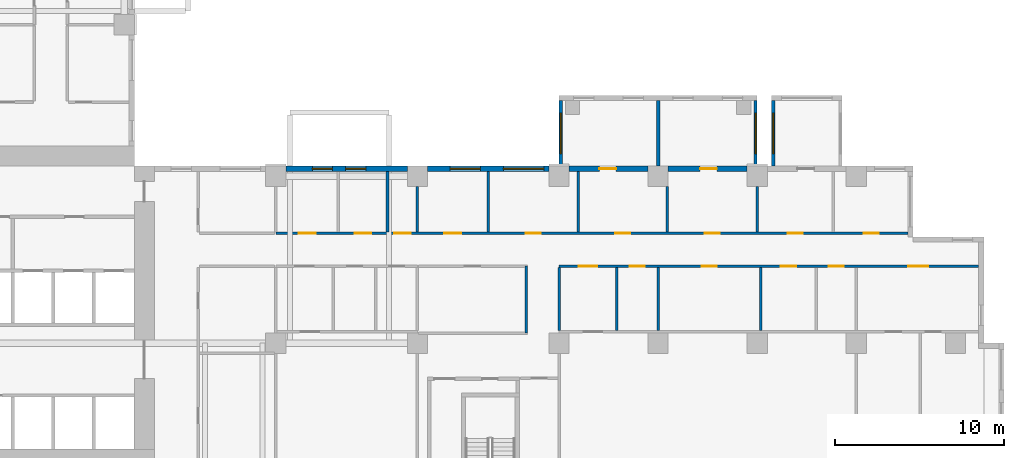
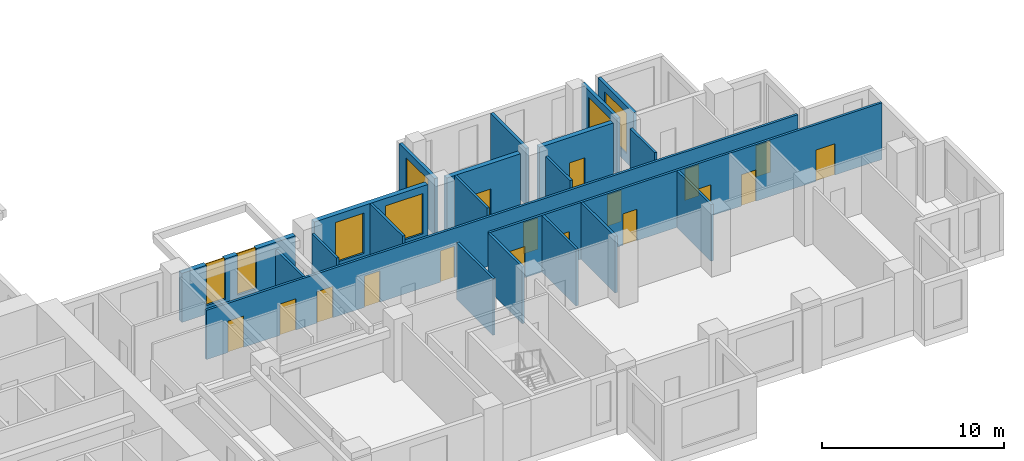
# One storey, part 5 of 15: 21 walls, 17 doors, 7 windows, 24 openings.
"""IFC4 building model written with IfcOpenShell, lengths in metres."""

from ifc_helpers import new_model, si_unit, direction, frame, frame_2d, origin, place, context, subcontext, project, spatial, rectangle, extrude, source, transform, mapped, material, layer, layer_set, type_object, element, fill, save


model = new_model("IFC4")

# Units and contexts
model_context = context("Model", 3, precision=1e-05, world=origin(), true_north=direction((0.0, 1.0)))
body_context = subcontext(model_context, "Body", "Model", "MODEL_VIEW")
ifc_project = project(units=[si_unit("LENGTHUNIT", "METRE"), si_unit("AREAUNIT", "SQUARE_METRE"), si_unit("VOLUMEUNIT", "CUBIC_METRE"), si_unit("PLANEANGLEUNIT", "RADIAN"), si_unit("MASSUNIT", "GRAM", prefix="KILO")], contexts=[model_context])

# Site, building, storey
site_placement = place(None, origin())
site = spatial("IfcSite", under=ifc_project, at=site_placement, CompositionType="ELEMENT")
building_placement = place(site_placement, origin())
building = spatial("IfcBuilding", under=site, at=building_placement, Name="Aurelian Terraces", CompositionType="ELEMENT")
storey_placement = place(building_placement, frame((0.0, 0.0, 74.1)))
storey = spatial("IfcBuildingStorey", under=building, at=storey_placement, Name="L15", CompositionType="ELEMENT", Elevation=74.1)

# Wall, openings, windows
ifc_material_1 = material(Name="Terracotta rainscreen cladding", Category="masonry")
ifc_layer_1 = layer(ifc_material_1, 0.3)
ifc_layer_set_1 = layer_set([ifc_layer_1], Name="EW-300")
wall_type_1 = type_object("IfcWallType", Name="EW-300", PredefinedType="STANDARD", material=ifc_layer_set_1)
shared_shape_1 = source(origin(), body_context, "Body", "SweptSolid", [
    extrude(rectangle(XDim=7.2, YDim=0.3, at=frame_2d((3.6, 0.0))), origin(), (0.0, 0.0, 1.0), 3.8),
])
wall_1_placement = place(storey_placement, frame((45.6, 20.85, 0.0), z_axis=(0.0, 0.0, 1.0), x_axis=(-1.0, 0.0, 0.0)))
wall_1 = element("IfcWall", 1, at=wall_1_placement, inside=storey, type_object=wall_type_1, Name="External wall L15 F07.20", PredefinedType="STANDARD", context=body_context, shape_type="MappedRepresentation", body=[
    mapped(shared_shape_1, transform((0.0, 0.0, 0.0), scale=1.0)),
])
shared_shape_2 = source(origin(), body_context, "Body", "SweptSolid", [
    extrude(rectangle(XDim=2.4, YDim=2.7, at=frame_2d((1.2, 1.35))), frame((0.0, 0.16, 0.0), z_axis=(0.0, -1.0, 0.0), x_axis=(1.0, 0.0, 0.0)), (0.0, 0.0, 1.0), 0.32),
])
opening_1_placement = place(wall_1_placement, frame((0.3, 0.0, 0.6)))
opening_1 = element("IfcOpeningElement", 2, at=opening_1_placement, cuts=wall_1, Name="Opening W2427", PredefinedType="OPENING", context=body_context, shape_type="MappedRepresentation", body=[
    mapped(shared_shape_2, transform((0.0, 0.0, 0.0), scale=1.0)),
])
shared_shape_3 = source(origin(), body_context, "Body", "SweptSolid", [
    extrude(rectangle(XDim=1.8, YDim=2.7, at=frame_2d((0.9, 1.35))), frame((0.0, 0.16, 0.0), z_axis=(0.0, -1.0, 0.0), x_axis=(1.0, 0.0, 0.0)), (0.0, 0.0, 1.0), 0.32),
])
opening_2_placement = place(wall_1_placement, frame((4.0625, 0.0, 0.6)))
opening_2 = element("IfcOpeningElement", 3, at=opening_2_placement, cuts=wall_1, Name="Opening W1827", PredefinedType="OPENING", context=body_context, shape_type="MappedRepresentation", body=[
    mapped(shared_shape_3, transform((0.0, 0.0, 0.0), scale=1.0)),
])
ifc_material_2 = material(Name="Clear glazing", Category="glass")
window_type_1 = type_object("IfcWindowType", Name="W-2400x2700", PartitioningType="SINGLE_PANEL", PredefinedType="WINDOW", material=ifc_material_2)
shared_shape_4 = source(origin(), body_context, "Body", "SweptSolid", [
    extrude(rectangle(XDim=2.4, YDim=2.7, at=frame_2d((1.2, 1.35))), frame((0.0, 0.03, 0.0), z_axis=(0.0, -1.0, 0.0), x_axis=(1.0, 0.0, 0.0)), (0.0, 0.0, 1.0), 0.06),
])
window_1_placement = place(opening_1_placement, origin())
window_1 = element("IfcWindow", 4, at=window_1_placement, inside=storey, type_object=window_type_1, Name="Window L15 L15-F07-20-0", OverallHeight=2.7, OverallWidth=2.4, PartitioningType="SINGLE_PANEL", PredefinedType="WINDOW", context=body_context, shape_type="MappedRepresentation", body=[
    mapped(shared_shape_4, transform((0.0, 0.0, 0.0), scale=1.0)),
])
fill(opening_1, window_1)
window_type_2 = type_object("IfcWindowType", Name="W-1800x2700", PartitioningType="SINGLE_PANEL", PredefinedType="WINDOW", material=ifc_material_2)
shared_shape_5 = source(origin(), body_context, "Body", "SweptSolid", [
    extrude(rectangle(XDim=1.8, YDim=2.7, at=frame_2d((0.9, 1.35))), frame((0.0, 0.03, 0.0), z_axis=(0.0, -1.0, 0.0), x_axis=(1.0, 0.0, 0.0)), (0.0, 0.0, 1.0), 0.06),
])
window_2_placement = place(opening_2_placement, origin())
window_2 = element("IfcWindow", 5, at=window_2_placement, inside=storey, type_object=window_type_2, Name="Window L15 L15-F07-20-G0-33", OverallHeight=2.7, OverallWidth=1.8, PartitioningType="SINGLE_PANEL", PredefinedType="WINDOW", context=body_context, shape_type="MappedRepresentation", body=[
    mapped(shared_shape_5, transform((0.0, 0.0, 0.0), scale=1.0)),
])
fill(opening_2, window_2)

# Wall, opening, door
shared_shape_6 = source(origin(), body_context, "Body", "SweptSolid", [
    extrude(rectangle(XDim=4.68, YDim=0.3, at=frame_2d((2.34, 0.0))), origin(), (0.0, 0.0, 1.0), 3.8),
])
wall_2_placement = place(storey_placement, frame((57.36, 20.85, 0.0), z_axis=(0.0, 0.0, 1.0), x_axis=(-1.0, 0.0, 0.0)))
wall_2 = element("IfcWall", 6, at=wall_2_placement, inside=storey, type_object=wall_type_1, Name="External wall L15 F07.19", PredefinedType="STANDARD", context=body_context, shape_type="MappedRepresentation", body=[
    mapped(shared_shape_6, transform((0.0, 0.0, 0.0), scale=1.0)),
])
shared_shape_7 = source(origin(), body_context, "Body", "SweptSolid", [
    extrude(rectangle(XDim=1.0, YDim=2.1, at=frame_2d((0.5, 1.05))), frame((0.0, 0.16, 0.0), z_axis=(0.0, -1.0, 0.0), x_axis=(1.0, 0.0, 0.0)), (0.0, 0.0, 1.0), 0.32),
])
opening_3_placement = place(wall_2_placement, frame((1.7933, 0.0, 0.0)))
opening_3 = element("IfcOpeningElement", 7, at=opening_3_placement, cuts=wall_2, Name="Opening 815005", PredefinedType="OPENING", context=body_context, shape_type="MappedRepresentation", body=[
    mapped(shared_shape_7, transform((0.0, 0.0, 0.0), scale=1.0)),
])
ifc_material_3 = material(Name="Timber door leaf", Category="wood")
door_type_1 = type_object("IfcDoorType", Name="Room door 1000x2100 left", OperationType="SINGLE_SWING_LEFT", PredefinedType="DOOR", material=ifc_material_3)
shared_shape_8 = source(origin(), body_context, "Body", "SweptSolid", [
    extrude(rectangle(XDim=1.0, YDim=2.1, at=frame_2d((0.5, 1.05))), frame((0.0, 0.025, 0.0), z_axis=(0.0, -1.0, 0.0), x_axis=(1.0, 0.0, 0.0)), (0.0, 0.0, 1.0), 0.05),
])
door_1_placement = place(opening_3_placement, origin())
door_1 = element("IfcDoor", 8, at=door_1_placement, inside=storey, type_object=door_type_1, Name="Door 815005", OperationType="SINGLE_SWING_LEFT", OverallHeight=2.1, OverallWidth=1.0, PredefinedType="DOOR", context=body_context, shape_type="MappedRepresentation", body=[
    mapped(shared_shape_8, transform((0.0, 0.0, 0.0), scale=1.0)),
])
fill(opening_3, door_1)

wall_3_placement = place(storey_placement, frame((51.48, 20.85, 0.0), z_axis=(0.0, 0.0, 1.0), x_axis=(-1.0, 0.0, 0.0)))
wall_3 = element("IfcWall", 9, at=wall_3_placement, inside=storey, type_object=wall_type_1, Name="External wall L15 F07.19", PredefinedType="STANDARD", context=body_context, shape_type="MappedRepresentation", body=[
    mapped(shared_shape_6, transform((0.0, 0.0, 0.0), scale=1.0)),
])
opening_4_placement = place(wall_3_placement, frame((1.8867, 0.0, 0.0)))
opening_4 = element("IfcOpeningElement", 10, at=opening_4_placement, cuts=wall_3, Name="Opening 815006", PredefinedType="OPENING", context=body_context, shape_type="MappedRepresentation", body=[
    mapped(shared_shape_7, transform((0.0, 0.0, 0.0), scale=1.0)),
])
door_2_placement = place(opening_4_placement, origin())
door_2 = element("IfcDoor", 11, at=door_2_placement, inside=storey, type_object=door_type_1, Name="Door 815006", OperationType="SINGLE_SWING_LEFT", OverallHeight=2.1, OverallWidth=1.0, PredefinedType="DOOR", context=body_context, shape_type="MappedRepresentation", body=[
    mapped(shared_shape_8, transform((0.0, 0.0, 0.0), scale=1.0)),
])
fill(opening_4, door_2)

# Wall, openings, windows
shared_shape_9 = source(origin(), body_context, "Body", "SweptSolid", [
    extrude(rectangle(XDim=7.2, YDim=0.3, at=frame_2d((3.6, 0.0))), origin(), (0.0, 0.0, 1.0), 3.3),
])
wall_4_placement = place(storey_placement, frame((37.2, 20.85, 0.0), z_axis=(0.0, 0.0, 1.0), x_axis=(-1.0, 0.0, 0.0)))
wall_4 = element("IfcWall", 12, at=wall_4_placement, inside=storey, type_object=wall_type_1, Name="External wall L15 F07.20", PredefinedType="STANDARD", context=body_context, shape_type="MappedRepresentation", body=[
    mapped(shared_shape_9, transform((0.0, 0.0, 0.0), scale=1.0)),
])
shared_shape_10 = source(origin(), body_context, "Body", "SweptSolid", [
    extrude(rectangle(XDim=1.2, YDim=2.7, at=frame_2d((0.6, 1.35))), frame((0.0, 0.16, 0.0), z_axis=(0.0, -1.0, 0.0), x_axis=(1.0, 0.0, 0.0)), (0.0, 0.0, 1.0), 0.32),
])
opening_5_placement = place(wall_4_placement, frame((2.466, 0.0, 0.6)))
opening_5 = element("IfcOpeningElement", 13, at=opening_5_placement, cuts=wall_4, Name="Opening W1227", PredefinedType="OPENING", context=body_context, shape_type="MappedRepresentation", body=[
    mapped(shared_shape_10, transform((0.0, 0.0, 0.0), scale=1.0)),
])
opening_6_placement = place(wall_4_placement, frame((4.441, 0.0, 0.6)))
opening_6 = element("IfcOpeningElement", 14, at=opening_6_placement, cuts=wall_4, Name="Opening W1227", PredefinedType="OPENING", context=body_context, shape_type="MappedRepresentation", body=[
    mapped(shared_shape_10, transform((0.0, 0.0, 0.0), scale=1.0)),
])
window_type_3 = type_object("IfcWindowType", Name="W-1200x2700", PartitioningType="SINGLE_PANEL", PredefinedType="WINDOW", material=ifc_material_2)
shared_shape_11 = source(origin(), body_context, "Body", "SweptSolid", [
    extrude(rectangle(XDim=1.2, YDim=2.7, at=frame_2d((0.6, 1.35))), frame((0.0, 0.03, 0.0), z_axis=(0.0, -1.0, 0.0), x_axis=(1.0, 0.0, 0.0)), (0.0, 0.0, 1.0), 0.06),
])
window_3_placement = place(opening_5_placement, origin())
window_3 = element("IfcWindow", 15, at=window_3_placement, inside=storey, type_object=window_type_3, Name="Window L15 L15-F07-20-2.1", OverallHeight=2.7, OverallWidth=1.2, PartitioningType="SINGLE_PANEL", PredefinedType="WINDOW", context=body_context, shape_type="MappedRepresentation", body=[
    mapped(shared_shape_11, transform((0.0, 0.0, 0.0), scale=1.0)),
])
fill(opening_5, window_3)
window_4_placement = place(opening_6_placement, origin())
window_4 = element("IfcWindow", 16, at=window_4_placement, inside=storey, type_object=window_type_3, Name="Window L15 L15-F07-20-2.2", OverallHeight=2.7, OverallWidth=1.2, PartitioningType="SINGLE_PANEL", PredefinedType="WINDOW", context=body_context, shape_type="MappedRepresentation", body=[
    mapped(shared_shape_11, transform((0.0, 0.0, 0.0), scale=1.0)),
])
fill(opening_6, window_4)

# Wall, opening, window
ifc_material_4 = material(Name="Concrete fc' 40 MPa", Category="concrete")
ifc_layer_2 = layer(ifc_material_4, 0.2)
ifc_layer_set_2 = layer_set([ifc_layer_2], Name="BOX BEARING WALL 200")
wall_type_2 = type_object("IfcWallType", Name="BOX BEARING WALL 200", PredefinedType="SOLIDWALL", material=ifc_layer_set_2)
shared_shape_12 = source(origin(), body_context, "Body", "SweptSolid", [
    extrude(rectangle(XDim=3.9, YDim=0.2, at=frame_2d((1.95, 0.0))), origin(), (0.0, 0.0, 1.0), 3.79),
])
wall_5_placement = place(storey_placement, frame((57.86, 21.0, 0.0), z_axis=(0.0, 0.0, 1.0), x_axis=(0.0, 1.0, 0.0)))
wall_5 = element("IfcWall", 17, at=wall_5_placement, inside=storey, type_object=wall_type_2, Name="Box return L15 K01.1", PredefinedType="SOLIDWALL", context=body_context, shape_type="MappedRepresentation", body=[
    mapped(shared_shape_12, transform((0.0, 0.0, 0.0), scale=1.0)),
])
shared_shape_13 = source(origin(), body_context, "Body", "SweptSolid", [
    extrude(rectangle(XDim=2.4, YDim=2.7, at=frame_2d((1.2, 1.35))), frame((0.0, 0.11, 0.0), z_axis=(0.0, -1.0, 0.0), x_axis=(1.0, 0.0, 0.0)), (0.0, 0.0, 1.0), 0.22),
])
opening_7_placement = place(wall_5_placement, frame((0.75, 0.0, 0.6)))
opening_7 = element("IfcOpeningElement", 18, at=opening_7_placement, cuts=wall_5, Name="Opening W2427", PredefinedType="OPENING", context=body_context, shape_type="MappedRepresentation", body=[
    mapped(shared_shape_13, transform((0.0, 0.0, 0.0), scale=1.0)),
])
window_5_placement = place(opening_7_placement, origin())
window_5 = element("IfcWindow", 19, at=window_5_placement, inside=storey, type_object=window_type_1, Name="Window L15 K01-S1", OverallHeight=2.7, OverallWidth=2.4, PartitioningType="SINGLE_PANEL", PredefinedType="WINDOW", context=body_context, shape_type="MappedRepresentation", body=[
    mapped(shared_shape_4, transform((0.0, 0.0, 0.0), scale=1.0)),
])
fill(opening_7, window_5)

wall_6_placement = place(storey_placement, frame((46.3, 21.0, 0.0), z_axis=(0.0, 0.0, 1.0), x_axis=(0.0, 1.0, 0.0)))
wall_6 = element("IfcWall", 20, at=wall_6_placement, inside=storey, type_object=wall_type_2, Name="Box return L15 K01.2", PredefinedType="SOLIDWALL", context=body_context, shape_type="MappedRepresentation", body=[
    mapped(shared_shape_12, transform((0.0, 0.0, 0.0), scale=1.0)),
])
opening_8_placement = place(wall_6_placement, frame((0.75, 0.0, 0.6)))
opening_8 = element("IfcOpeningElement", 21, at=opening_8_placement, cuts=wall_6, Name="Opening W2427", PredefinedType="OPENING", context=body_context, shape_type="MappedRepresentation", body=[
    mapped(shared_shape_13, transform((0.0, 0.0, 0.0), scale=1.0)),
])
window_6_placement = place(opening_8_placement, origin())
window_6 = element("IfcWindow", 22, at=window_6_placement, inside=storey, type_object=window_type_1, Name="Window L15 K01-S2", OverallHeight=2.7, OverallWidth=2.4, PartitioningType="SINGLE_PANEL", PredefinedType="WINDOW", context=body_context, shape_type="MappedRepresentation", body=[
    mapped(shared_shape_4, transform((0.0, 0.0, 0.0), scale=1.0)),
])
fill(opening_8, window_6)

wall_7_placement = place(storey_placement, frame((58.9, 21.0, 0.0), z_axis=(0.0, 0.0, 1.0), x_axis=(0.0, 1.0, 0.0)))
wall_7 = element("IfcWall", 23, at=wall_7_placement, inside=storey, type_object=wall_type_2, Name="Box return L15 J17.2", PredefinedType="SOLIDWALL", context=body_context, shape_type="MappedRepresentation", body=[
    mapped(shared_shape_12, transform((0.0, 0.0, 0.0), scale=1.0)),
])
opening_9_placement = place(wall_7_placement, frame((0.75, 0.0, 0.6)))
opening_9 = element("IfcOpeningElement", 24, at=opening_9_placement, cuts=wall_7, Name="Opening W2427", PredefinedType="OPENING", context=body_context, shape_type="MappedRepresentation", body=[
    mapped(shared_shape_13, transform((0.0, 0.0, 0.0), scale=1.0)),
])
window_7_placement = place(opening_9_placement, origin())
window_7 = element("IfcWindow", 25, at=window_7_placement, inside=storey, type_object=window_type_1, Name="Window L15 J17-S2", OverallHeight=2.7, OverallWidth=2.4, PartitioningType="SINGLE_PANEL", PredefinedType="WINDOW", context=body_context, shape_type="MappedRepresentation", body=[
    mapped(shared_shape_4, transform((0.0, 0.0, 0.0), scale=1.0)),
])
fill(opening_9, window_7)

# Walls
shared_shape_14 = source(origin(), body_context, "Body", "SweptSolid", [
    extrude(rectangle(XDim=3.9, YDim=0.2, at=frame_2d((1.95, 0.0))), origin(), (0.0, 0.0, 1.0), 3.79),
])
wall_8_placement = place(storey_placement, frame((52.08, 21.0, 0.0), z_axis=(0.0, 0.0, 1.0), x_axis=(0.0, 1.0, 0.0)))
element("IfcWall", 26, at=wall_8_placement, inside=storey, type_object=wall_type_2, Name="Box partition L15 K01", PredefinedType="SOLIDWALL", context=body_context, shape_type="MappedRepresentation", body=[
    mapped(shared_shape_14, transform((0.0, 0.0, 0.0), scale=1.0)),
])
ifc_material_5 = material(Name="Gypsum board on steel studs", Category="steel")
ifc_layer_3 = layer(ifc_material_5, 0.15)
ifc_layer_set_3 = layer_set([ifc_layer_3], Name="Partition 150")
wall_type_3 = type_object("IfcWallType", Name="Partition 150", PredefinedType="PARTITIONING", material=ifc_layer_set_3)
shared_shape_15 = source(origin(), body_context, "Body", "SweptSolid", [
    extrude(rectangle(XDim=3.75, YDim=0.15, at=frame_2d((1.875, 0.0))), origin(), (0.0, 0.0, 1.0), 3.8),
])
for number, where, z_axis, x_axis, name in (
    (27, (49.6117, 11.25, 0.0), (0.0, 0.0, 1.0), (0.0, 1.0, 0.0), "Partition"),
    (28, (52.08, 11.25, 0.0), (0.0, 0.0, 1.0), (0.0, 1.0, 0.0), "Partition"),
    (29, (58.1619, 11.25, 0.0), (0.0, 0.0, 1.0), (0.0, 1.0, 0.0), "Partition"),
    (30, (46.2, 11.25, 0.0), (0.0, 0.0, 1.0), (0.0, 1.0, 0.0), "Partition"),
):
    element("IfcWall", number, at=place(storey_placement, frame(where, z_axis=z_axis, x_axis=x_axis)), inside=storey, type_object=wall_type_3, Name=name, PredefinedType="PARTITIONING", context=body_context, shape_type="MappedRepresentation", body=[
        mapped(shared_shape_15, transform((0.0, 0.0, 0.0), scale=1.0)),
    ])
shared_shape_16 = source(origin(), body_context, "Body", "SweptSolid", [
    extrude(rectangle(XDim=3.6, YDim=0.15, at=frame_2d((1.8, 0.0))), origin(), (0.0, 0.0, 1.0), 3.8),
])
for number, where, z_axis, x_axis, name in (
    (31, (47.345, 20.7, 0.0), (0.0, 0.0, 1.0), (0.0, -1.0, 0.0), "Partition"),
    (32, (42.0, 17.1, 0.0), (0.0, 0.0, 1.0), (0.0, 1.0, 0.0), "Partition"),
):
    element("IfcWall", number, at=place(storey_placement, frame(where, z_axis=z_axis, x_axis=x_axis)), inside=storey, type_object=wall_type_3, Name=name, PredefinedType="PARTITIONING", context=body_context, shape_type="MappedRepresentation", body=[
        mapped(shared_shape_16, transform((0.0, 0.0, 0.0), scale=1.0)),
    ])
shared_shape_17 = source(origin(), body_context, "Body", "SweptSolid", [
    extrude(rectangle(XDim=2.701, YDim=0.15, at=frame_2d((1.3505, 0.0))), origin(), (0.0, 0.0, 1.0), 3.8),
])
for number, where, z_axis, x_axis, name in (
    (33, (52.615, 19.801, 0.0), (0.0, 0.0, 1.0), (0.0, -1.0, 0.0), "Partition"),
    (34, (37.8, 17.1, 0.0), (0.0, 0.0, 1.0), (0.0, 1.0, 0.0), "Partition"),
    (35, (57.96, 17.1, 0.0), (0.0, 0.0, 1.0), (0.0, 1.0, 0.0), "Partition"),
):
    element("IfcWall", number, at=place(storey_placement, frame(where, z_axis=z_axis, x_axis=x_axis)), inside=storey, type_object=wall_type_3, Name=name, PredefinedType="PARTITIONING", context=body_context, shape_type="MappedRepresentation", body=[
        mapped(shared_shape_17, transform((0.0, 0.0, 0.0), scale=1.0)),
    ])

# Wall, openings, doors
ifc_layer_4 = layer(ifc_material_5, 0.15)
ifc_layer_set_4 = layer_set([ifc_layer_4], Name="Fire partition 150")
wall_type_4 = type_object("IfcWallType", Name="Fire partition 150", PredefinedType="PARTITIONING", material=ifc_layer_set_4)
shared_shape_18 = source(origin(), body_context, "Body", "SweptSolid", [
    extrude(rectangle(XDim=24.9, YDim=0.15, at=frame_2d((12.45, 0.0))), origin(), (0.0, 0.0, 1.0), 3.8),
])
wall_9_placement = place(storey_placement, frame((71.1, 15.075, 0.0), z_axis=(0.0, 0.0, 1.0), x_axis=(-1.0, 0.0, 0.0)))
wall_9 = element("IfcWall", 36, at=wall_9_placement, inside=storey, type_object=wall_type_4, Name="Corridor wall", PredefinedType="PARTITIONING", context=body_context, shape_type="MappedRepresentation", body=[
    mapped(shared_shape_18, transform((0.0, 0.0, 0.0), scale=1.0)),
])
shared_shape_19 = source(origin(), body_context, "Body", "SweptSolid", [
    extrude(rectangle(XDim=1.1, YDim=2.1, at=frame_2d((0.55, 1.05))), frame((0.0, 0.085, 0.0), z_axis=(0.0, -1.0, 0.0), x_axis=(1.0, 0.0, 0.0)), (0.0, 0.0, 1.0), 0.17),
])
opening_10_placement = place(wall_9_placement, frame((22.6442, 0.0, 0.0)))
opening_10 = element("IfcOpeningElement", 37, at=opening_10_placement, cuts=wall_9, Name="Opening 715011", PredefinedType="OPENING", context=body_context, shape_type="MappedRepresentation", body=[
    mapped(shared_shape_19, transform((0.0, 0.0, 0.0), scale=1.0)),
])
shared_shape_20 = source(origin(), body_context, "Body", "SweptSolid", [
    extrude(rectangle(XDim=0.9, YDim=2.1, at=frame_2d((0.45, 1.05))), frame((0.0, 0.085, 0.0), z_axis=(0.0, -1.0, 0.0), x_axis=(1.0, 0.0, 0.0)), (0.0, 0.0, 1.0), 0.17),
])
opening_11_placement = place(wall_9_placement, frame((19.8042, 0.0, 0.0)))
opening_11 = element("IfcOpeningElement", 38, at=opening_11_placement, cuts=wall_9, Name="Opening 715013", PredefinedType="OPENING", context=body_context, shape_type="MappedRepresentation", body=[
    mapped(shared_shape_20, transform((0.0, 0.0, 0.0), scale=1.0)),
])
opening_12_placement = place(wall_9_placement, frame((15.5291, 0.0, 0.0)))
opening_12 = element("IfcOpeningElement", 39, at=opening_12_placement, cuts=wall_9, Name="Opening 715014", PredefinedType="OPENING", context=body_context, shape_type="MappedRepresentation", body=[
    mapped(shared_shape_20, transform((0.0, 0.0, 0.0), scale=1.0)),
])
opening_13_placement = place(wall_9_placement, frame((10.8381, 0.0, 0.0)))
opening_13 = element("IfcOpeningElement", 40, at=opening_13_placement, cuts=wall_9, Name="Opening 715015", PredefinedType="OPENING", context=body_context, shape_type="MappedRepresentation", body=[
    mapped(shared_shape_20, transform((0.0, 0.0, 0.0), scale=1.0)),
])
opening_14_placement = place(wall_9_placement, frame((7.999, 0.0, 0.0)))
opening_14 = element("IfcOpeningElement", 41, at=opening_14_placement, cuts=wall_9, Name="Opening 715016", PredefinedType="OPENING", context=body_context, shape_type="MappedRepresentation", body=[
    mapped(shared_shape_20, transform((0.0, 0.0, 0.0), scale=1.0)),
])
shared_shape_21 = source(origin(), body_context, "Body", "SweptSolid", [
    extrude(rectangle(XDim=1.2, YDim=2.1, at=frame_2d((0.6, 1.05))), frame((0.0, 0.085, 0.0), z_axis=(0.0, -1.0, 0.0), x_axis=(1.0, 0.0, 0.0)), (0.0, 0.0, 1.0), 0.17),
])
opening_15_placement = place(wall_9_placement, frame((2.9925, 0.0, 0.0)))
opening_15 = element("IfcOpeningElement", 42, at=opening_15_placement, cuts=wall_9, Name="Opening 715017", PredefinedType="OPENING", context=body_context, shape_type="MappedRepresentation", body=[
    mapped(shared_shape_21, transform((0.0, 0.0, 0.0), scale=1.0)),
])
door_type_2 = type_object("IfcDoorType", Name="Room door 900x2100 left", OperationType="SINGLE_SWING_LEFT", PredefinedType="DOOR", material=ifc_material_3)
shared_shape_22 = source(origin(), body_context, "Body", "SweptSolid", [
    extrude(rectangle(XDim=0.9, YDim=2.1, at=frame_2d((0.45, 1.05))), frame((0.0, 0.025, 0.0), z_axis=(0.0, -1.0, 0.0), x_axis=(1.0, 0.0, 0.0)), (0.0, 0.0, 1.0), 0.05),
])
door_3_placement = place(opening_11_placement, origin())
door_3 = element("IfcDoor", 43, at=door_3_placement, inside=storey, type_object=door_type_2, Name="Door 715013", OperationType="SINGLE_SWING_LEFT", OverallHeight=2.1, OverallWidth=0.9, PredefinedType="DOOR", context=body_context, shape_type="MappedRepresentation", body=[
    mapped(shared_shape_22, transform((0.0, 0.0, 0.0), scale=1.0)),
])
fill(opening_11, door_3)
door_type_3 = type_object("IfcDoorType", Name="Room door 900x2100 right", OperationType="SINGLE_SWING_RIGHT", PredefinedType="DOOR", material=ifc_material_3)
door_4_placement = place(opening_12_placement, origin())
door_4 = element("IfcDoor", 44, at=door_4_placement, inside=storey, type_object=door_type_3, Name="Door 715014", OperationType="SINGLE_SWING_RIGHT", OverallHeight=2.1, OverallWidth=0.9, PredefinedType="DOOR", context=body_context, shape_type="MappedRepresentation", body=[
    mapped(shared_shape_22, transform((0.0, 0.0, 0.0), scale=1.0)),
])
fill(opening_12, door_4)
door_5_placement = place(opening_13_placement, origin())
door_5 = element("IfcDoor", 45, at=door_5_placement, inside=storey, type_object=door_type_2, Name="Door 715015", OperationType="SINGLE_SWING_LEFT", OverallHeight=2.1, OverallWidth=0.9, PredefinedType="DOOR", context=body_context, shape_type="MappedRepresentation", body=[
    mapped(shared_shape_22, transform((0.0, 0.0, 0.0), scale=1.0)),
])
fill(opening_13, door_5)
door_6_placement = place(opening_14_placement, origin())
door_6 = element("IfcDoor", 46, at=door_6_placement, inside=storey, type_object=door_type_3, Name="Door 715016", OperationType="SINGLE_SWING_RIGHT", OverallHeight=2.1, OverallWidth=0.9, PredefinedType="DOOR", context=body_context, shape_type="MappedRepresentation", body=[
    mapped(shared_shape_22, transform((0.0, 0.0, 0.0), scale=1.0)),
])
fill(opening_14, door_6)
door_type_4 = type_object("IfcDoorType", Name="Room door 1100x2100 left", OperationType="SINGLE_SWING_LEFT", PredefinedType="DOOR", material=ifc_material_3)
shared_shape_23 = source(origin(), body_context, "Body", "SweptSolid", [
    extrude(rectangle(XDim=1.1, YDim=2.1, at=frame_2d((0.55, 1.05))), frame((0.0, 0.025, 0.0), z_axis=(0.0, -1.0, 0.0), x_axis=(1.0, 0.0, 0.0)), (0.0, 0.0, 1.0), 0.05),
])
door_7_placement = place(opening_10_placement, origin())
door_7 = element("IfcDoor", 47, at=door_7_placement, inside=storey, type_object=door_type_4, Name="Door 715011", OperationType="SINGLE_SWING_LEFT", OverallHeight=2.1, OverallWidth=1.1, PredefinedType="DOOR", context=body_context, shape_type="MappedRepresentation", body=[
    mapped(shared_shape_23, transform((0.0, 0.0, 0.0), scale=1.0)),
])
fill(opening_10, door_7)
door_type_5 = type_object("IfcDoorType", Name="Room door 1200x2100 left", OperationType="SINGLE_SWING_LEFT", PredefinedType="DOOR", material=ifc_material_3)
shared_shape_24 = source(origin(), body_context, "Body", "SweptSolid", [
    extrude(rectangle(XDim=1.2, YDim=2.1, at=frame_2d((0.6, 1.05))), frame((0.0, 0.025, 0.0), z_axis=(0.0, -1.0, 0.0), x_axis=(1.0, 0.0, 0.0)), (0.0, 0.0, 1.0), 0.05),
])
door_8_placement = place(opening_15_placement, origin())
door_8 = element("IfcDoor", 48, at=door_8_placement, inside=storey, type_object=door_type_5, Name="Door 715017", OperationType="SINGLE_SWING_LEFT", OverallHeight=2.1, OverallWidth=1.2, PredefinedType="DOOR", context=body_context, shape_type="MappedRepresentation", body=[
    mapped(shared_shape_24, transform((0.0, 0.0, 0.0), scale=1.0)),
])
fill(opening_15, door_8)

# Walls
shared_shape_25 = source(origin(), body_context, "Body", "SweptSolid", [
    extrude(rectangle(XDim=3.975, YDim=0.15, at=frame_2d((1.9875, 0.0))), origin(), (0.0, 0.0, 1.0), 3.8),
])
wall_10_placement = place(storey_placement, frame((44.25, 11.1, 0.0), z_axis=(0.0, 0.0, 1.0), x_axis=(0.0, 1.0, 0.0)))
element("IfcWall", 49, at=wall_10_placement, inside=storey, type_object=wall_type_3, Name="Partition", PredefinedType="PARTITIONING", context=body_context, shape_type="MappedRepresentation", body=[
    mapped(shared_shape_25, transform((0.0, 0.0, 0.0), scale=1.0)),
])
shared_shape_26 = source(origin(), body_context, "Body", "SweptSolid", [
    extrude(rectangle(XDim=3.6, YDim=0.15, at=frame_2d((1.8, 0.0))), origin(), (0.0, 0.0, 1.0), 2.8),
])
wall_11_placement = place(storey_placement, frame((36.024, 20.7, 0.0), z_axis=(0.0, 0.0, 1.0), x_axis=(0.0, -1.0, 0.0)))
element("IfcWall", 50, at=wall_11_placement, inside=storey, type_object=wall_type_3, Name="Partition", PredefinedType="PARTITIONING", context=body_context, shape_type="MappedRepresentation", body=[
    mapped(shared_shape_26, transform((0.0, 0.0, 0.0), scale=1.0)),
])

# Wall, openings, doors
shared_shape_27 = source(origin(), body_context, "Body", "SweptSolid", [
    extrude(rectangle(XDim=37.5, YDim=0.15, at=frame_2d((18.75, 0.0))), origin(), (0.0, 0.0, 1.0), 3.3),
])
wall_12_placement = place(storey_placement, frame((29.4, 17.025, 0.0), z_axis=(0.0, 0.0, 1.0), x_axis=(1.0, 0.0, 0.0)))
wall_12 = element("IfcWall", 51, at=wall_12_placement, inside=storey, type_object=wall_type_4, Name="Corridor wall", PredefinedType="PARTITIONING", context=body_context, shape_type="MappedRepresentation", body=[
    mapped(shared_shape_27, transform((0.0, 0.0, 0.0), scale=1.0)),
])
shared_shape_28 = source(origin(), body_context, "Body", "SweptSolid", [
    extrude(rectangle(XDim=1.0, YDim=2.1, at=frame_2d((0.5, 1.05))), frame((0.0, 0.085, 0.0), z_axis=(0.0, -1.0, 0.0), x_axis=(1.0, 0.0, 0.0)), (0.0, 0.0, 1.0), 0.17),
])
opening_16_placement = place(wall_12_placement, frame((1.3567, 0.0, 0.0)))
opening_16 = element("IfcOpeningElement", 52, at=opening_16_placement, cuts=wall_12, Name="Opening 715020", PredefinedType="OPENING", context=body_context, shape_type="MappedRepresentation", body=[
    mapped(shared_shape_28, transform((0.0, 0.0, 0.0), scale=1.0)),
])
opening_17_placement = place(wall_12_placement, frame((4.6686, 0.0, 0.0)))
opening_17 = element("IfcOpeningElement", 53, at=opening_17_placement, cuts=wall_12, Name="Opening 715021", PredefinedType="OPENING", context=body_context, shape_type="MappedRepresentation", body=[
    mapped(shared_shape_28, transform((0.0, 0.0, 0.0), scale=1.0)),
])
opening_18_placement = place(wall_12_placement, frame((7.012, 0.0, 0.0)))
opening_18 = element("IfcOpeningElement", 54, at=opening_18_placement, cuts=wall_12, Name="Opening 715022", PredefinedType="OPENING", context=body_context, shape_type="MappedRepresentation", body=[
    mapped(shared_shape_28, transform((0.0, 0.0, 0.0), scale=1.0)),
])
opening_19_placement = place(wall_12_placement, frame((10.0, 0.0, 0.0)))
opening_19 = element("IfcOpeningElement", 55, at=opening_19_placement, cuts=wall_12, Name="Opening 715023", PredefinedType="OPENING", context=body_context, shape_type="MappedRepresentation", body=[
    mapped(shared_shape_28, transform((0.0, 0.0, 0.0), scale=1.0)),
])
opening_20_placement = place(wall_12_placement, frame((14.8225, 0.0, 0.0)))
opening_20 = element("IfcOpeningElement", 56, at=opening_20_placement, cuts=wall_12, Name="Opening 715024", PredefinedType="OPENING", context=body_context, shape_type="MappedRepresentation", body=[
    mapped(shared_shape_20, transform((0.0, 0.0, 0.0), scale=1.0)),
])
opening_21_placement = place(wall_12_placement, frame((20.13, 0.0, 0.0)))
opening_21 = element("IfcOpeningElement", 57, at=opening_21_placement, cuts=wall_12, Name="Opening 715025", PredefinedType="OPENING", context=body_context, shape_type="MappedRepresentation", body=[
    mapped(shared_shape_20, transform((0.0, 0.0, 0.0), scale=1.0)),
])
opening_22_placement = place(wall_12_placement, frame((25.4375, 0.0, 0.0)))
opening_22 = element("IfcOpeningElement", 58, at=opening_22_placement, cuts=wall_12, Name="Opening 715026", PredefinedType="OPENING", context=body_context, shape_type="MappedRepresentation", body=[
    mapped(shared_shape_20, transform((0.0, 0.0, 0.0), scale=1.0)),
])
opening_23_placement = place(wall_12_placement, frame((30.3638, 0.0, 0.0)))
opening_23 = element("IfcOpeningElement", 59, at=opening_23_placement, cuts=wall_12, Name="Opening 715027", PredefinedType="OPENING", context=body_context, shape_type="MappedRepresentation", body=[
    mapped(shared_shape_20, transform((0.0, 0.0, 0.0), scale=1.0)),
])
opening_24_placement = place(wall_12_placement, frame((34.8713, 0.0, 0.0)))
opening_24 = element("IfcOpeningElement", 60, at=opening_24_placement, cuts=wall_12, Name="Opening 715028", PredefinedType="OPENING", context=body_context, shape_type="MappedRepresentation", body=[
    mapped(shared_shape_20, transform((0.0, 0.0, 0.0), scale=1.0)),
])
door_9_placement = place(opening_16_placement, origin())
door_9 = element("IfcDoor", 61, at=door_9_placement, inside=storey, type_object=door_type_1, Name="Door 715020", OperationType="SINGLE_SWING_LEFT", OverallHeight=2.1, OverallWidth=1.0, PredefinedType="DOOR", context=body_context, shape_type="MappedRepresentation", body=[
    mapped(shared_shape_8, transform((0.0, 0.0, 0.0), scale=1.0)),
])
fill(opening_16, door_9)
door_type_6 = type_object("IfcDoorType", Name="Room door 1000x2100 right", OperationType="SINGLE_SWING_RIGHT", PredefinedType="DOOR", material=ifc_material_3)
door_10_placement = place(opening_17_placement, origin())
door_10 = element("IfcDoor", 62, at=door_10_placement, inside=storey, type_object=door_type_6, Name="Door 715021", OperationType="SINGLE_SWING_RIGHT", OverallHeight=2.1, OverallWidth=1.0, PredefinedType="DOOR", context=body_context, shape_type="MappedRepresentation", body=[
    mapped(shared_shape_8, transform((0.0, 0.0, 0.0), scale=1.0)),
])
fill(opening_17, door_10)
door_11_placement = place(opening_18_placement, origin())
door_11 = element("IfcDoor", 63, at=door_11_placement, inside=storey, type_object=door_type_1, Name="Door 715022", OperationType="SINGLE_SWING_LEFT", OverallHeight=2.1, OverallWidth=1.0, PredefinedType="DOOR", context=body_context, shape_type="MappedRepresentation", body=[
    mapped(shared_shape_8, transform((0.0, 0.0, 0.0), scale=1.0)),
])
fill(opening_18, door_11)
door_12_placement = place(opening_19_placement, origin())
door_12 = element("IfcDoor", 64, at=door_12_placement, inside=storey, type_object=door_type_1, Name="Door 715023", OperationType="SINGLE_SWING_LEFT", OverallHeight=2.1, OverallWidth=1.0, PredefinedType="DOOR", context=body_context, shape_type="MappedRepresentation", body=[
    mapped(shared_shape_8, transform((0.0, 0.0, 0.0), scale=1.0)),
])
fill(opening_19, door_12)
door_13_placement = place(opening_20_placement, origin())
door_13 = element("IfcDoor", 65, at=door_13_placement, inside=storey, type_object=door_type_2, Name="Door 715024", OperationType="SINGLE_SWING_LEFT", OverallHeight=2.1, OverallWidth=0.9, PredefinedType="DOOR", context=body_context, shape_type="MappedRepresentation", body=[
    mapped(shared_shape_22, transform((0.0, 0.0, 0.0), scale=1.0)),
])
fill(opening_20, door_13)
door_14_placement = place(opening_21_placement, origin())
door_14 = element("IfcDoor", 66, at=door_14_placement, inside=storey, type_object=door_type_3, Name="Door 715025", OperationType="SINGLE_SWING_RIGHT", OverallHeight=2.1, OverallWidth=0.9, PredefinedType="DOOR", context=body_context, shape_type="MappedRepresentation", body=[
    mapped(shared_shape_22, transform((0.0, 0.0, 0.0), scale=1.0)),
])
fill(opening_21, door_14)
door_15_placement = place(opening_22_placement, origin())
door_15 = element("IfcDoor", 67, at=door_15_placement, inside=storey, type_object=door_type_2, Name="Door 715026", OperationType="SINGLE_SWING_LEFT", OverallHeight=2.1, OverallWidth=0.9, PredefinedType="DOOR", context=body_context, shape_type="MappedRepresentation", body=[
    mapped(shared_shape_22, transform((0.0, 0.0, 0.0), scale=1.0)),
])
fill(opening_22, door_15)
door_16_placement = place(opening_23_placement, origin())
door_16 = element("IfcDoor", 68, at=door_16_placement, inside=storey, type_object=door_type_2, Name="Door 715027", OperationType="SINGLE_SWING_LEFT", OverallHeight=2.1, OverallWidth=0.9, PredefinedType="DOOR", context=body_context, shape_type="MappedRepresentation", body=[
    mapped(shared_shape_22, transform((0.0, 0.0, 0.0), scale=1.0)),
])
fill(opening_23, door_16)
door_17_placement = place(opening_24_placement, origin())
door_17 = element("IfcDoor", 69, at=door_17_placement, inside=storey, type_object=door_type_3, Name="Door 715028", OperationType="SINGLE_SWING_RIGHT", OverallHeight=2.1, OverallWidth=0.9, PredefinedType="DOOR", context=body_context, shape_type="MappedRepresentation", body=[
    mapped(shared_shape_22, transform((0.0, 0.0, 0.0), scale=1.0)),
])
fill(opening_24, door_17)

save(model, "model.ifc")
